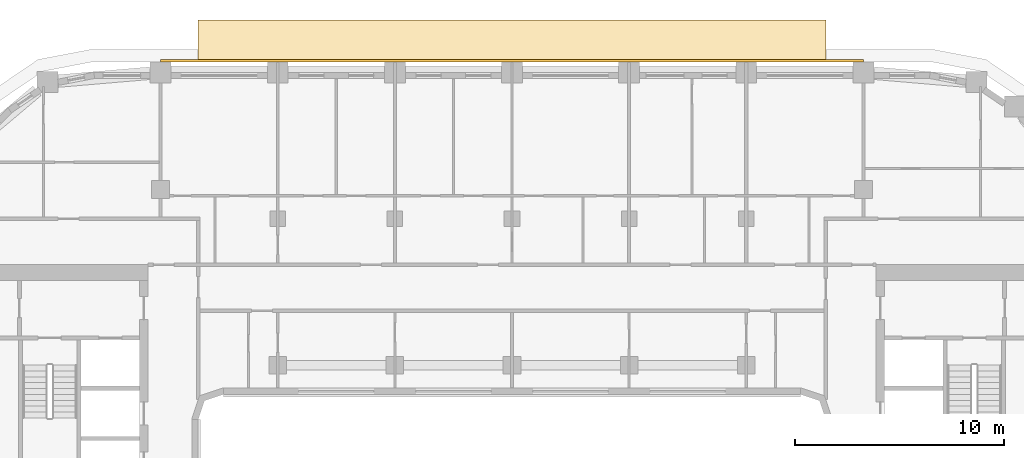
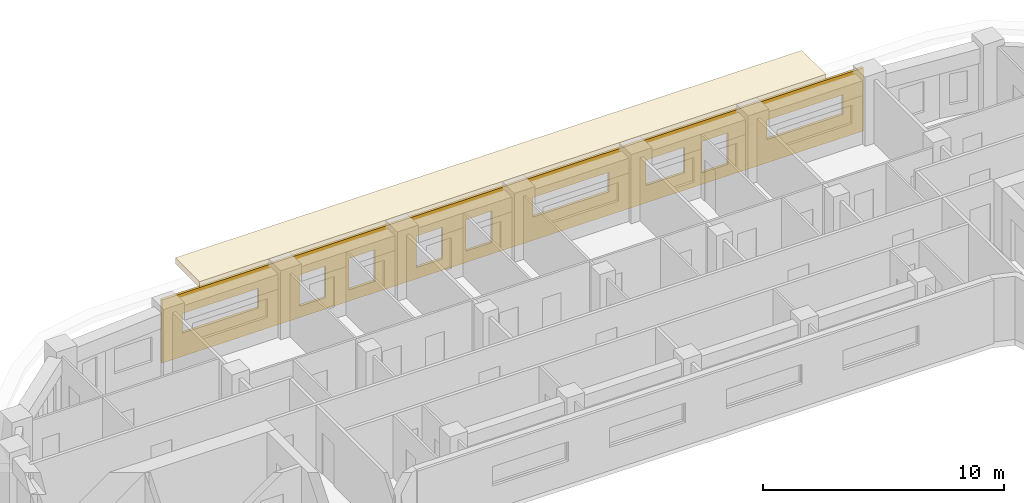
# One storey, part 21 of 22: 2 coverings.
"""IFC4 building model written with IfcOpenShell, lengths in metres."""

from ifc_helpers import new_model, si_unit, direction, frame, origin, place, context, subcontext, project, spatial, polyline, outline, extrude, material, layer, layer_set, type_object, element, save


model = new_model("IFC4")

# Units and contexts
model_context = context("Model", 3, precision=1e-05, world=origin(), true_north=direction((0.0, 1.0)))
body_context = subcontext(model_context, "Body", "Model", "MODEL_VIEW")
ifc_project = project(units=[si_unit("LENGTHUNIT", "METRE"), si_unit("AREAUNIT", "SQUARE_METRE"), si_unit("VOLUMEUNIT", "CUBIC_METRE"), si_unit("PLANEANGLEUNIT", "RADIAN"), si_unit("MASSUNIT", "GRAM", prefix="KILO")], contexts=[model_context])

# Site, building, storey
site_placement = place(None, origin())
site = spatial("IfcSite", under=ifc_project, at=site_placement, CompositionType="ELEMENT")
building_placement = place(site_placement, origin())
building = spatial("IfcBuilding", under=site, at=building_placement, Name="Kiln Ring Residences", CompositionType="ELEMENT")
storey_placement = place(building_placement, frame((0.0, 0.0, 171.10009765625)))
storey = spatial("IfcBuildingStorey", under=building, at=storey_placement, Name="L44", CompositionType="ELEMENT", Elevation=171.10009765625)

# Coverings
ifc_material_1 = material(Name="Brick masonry, dark clay brick", Category="masonry")
ifc_layer_1 = layer(ifc_material_1, 0.1201171875)
ifc_layer_set_1 = layer_set([ifc_layer_1], Name="RAINSCREEN PANEL 120")
covering_type_1 = type_object("IfcCoveringType", Name="RAINSCREEN PANEL 120", PredefinedType="CLADDING", material=ifc_layer_set_1)
covering_1_placement = place(storey_placement, frame((16.800048828125, 22.9599609375, 0.0), z_axis=(0.0, 0.0, 1.0), x_axis=(-1.0, 0.0, 0.0)))
element("IfcCovering", 1, at=covering_1_placement, inside=storey, type_object=covering_type_1, Name="RAINSCREEN L44", PredefinedType="CLADDING", context=body_context, shape_type="SweptSolid", body=[
    extrude(outline(polyline([(0.0, 0.0), (33.60009765625, 0.0), (33.60009765625, 3.199951171875), (0.0, 3.199951171875), (0.0, 0.0)]), holes=[polyline([(6.492431640625, 0.579833984375), (7.732421875, 0.579833984375), (7.732421875, 2.169921875), (6.492431640625, 2.169921875), (6.492431640625, 0.579833984375)]), polyline([(17.79248046875, 0.579833984375), (19.032470703125, 0.579833984375), (19.032470703125, 2.169921875), (17.79248046875, 2.169921875), (17.79248046875, 0.579833984375)]), polyline([(20.16748046875, 0.579833984375), (21.407470703125, 0.579833984375), (21.407470703125, 2.169921875), (20.16748046875, 2.169921875), (20.16748046875, 0.579833984375)]), polyline([(23.392578125, 0.579833984375), (24.632568359375, 0.579833984375), (24.632568359375, 2.169921875), (23.392578125, 2.169921875), (23.392578125, 0.579833984375)]), polyline([(25.767578125, 0.579833984375), (27.007568359375, 0.579833984375), (27.007568359375, 2.169921875), (25.767578125, 2.169921875), (25.767578125, 0.579833984375)]), polyline([(8.5673828125, 0.8798828125), (10.407470703125, 0.8798828125), (10.407470703125, 2.169921875), (8.5673828125, 2.169921875), (8.5673828125, 0.8798828125)]), polyline([(0.97998046875, 1.179931640625), (4.6201171875, 1.179931640625), (4.6201171875, 2.169921875), (0.97998046875, 2.169921875), (0.97998046875, 1.179931640625)]), polyline([(12.179931640625, 2.169921875), (12.179931640625, 1.179931640625), (15.820068359375, 1.179931640625), (15.820068359375, 2.169921875), (12.179931640625, 2.169921875)]), polyline([(28.97998046875, 2.169921875), (28.97998046875, 1.179931640625), (32.6201171875, 1.179931640625), (32.6201171875, 2.169921875), (28.97998046875, 2.169921875)])]), frame((0.0, 0.06005859375, 0.0), z_axis=(0.0, -1.0, 0.0), x_axis=(1.0, 0.0, 0.0)), (0.0, 0.0, 1.0), 0.1201171875),
])
ifc_material_2 = material(Name="Black powder-coated steel", Category="steel")
ifc_layer_2 = layer(ifc_material_2, 0.300048828125)
ifc_layer_set_2 = layer_set([ifc_layer_2], Name="SUNSHADE BAND 2000")
covering_type_2 = type_object("IfcCoveringType", Name="SUNSHADE BAND 2000", PredefinedType="CLADDING", material=ifc_layer_set_2)
covering_2_placement = place(storey_placement, frame((0.0, 0.0, 3.199951171875)))
element("IfcCovering", 2, at=covering_2_placement, inside=storey, type_object=covering_type_2, Name="SUNSHADE BAND L44", PredefinedType="CLADDING", context=body_context, shape_type="SweptSolid", body=[
    extrude(outline(polyline([(15.0, 24.89990234375), (-15.0, 24.89990234375), (-15.0, 22.89990234375), (15.0, 22.89990234375), (15.0, 24.89990234375)])), origin(), (0.0, 0.0, 1.0), 0.300048828125),
])

save(model, "model.ifc")
